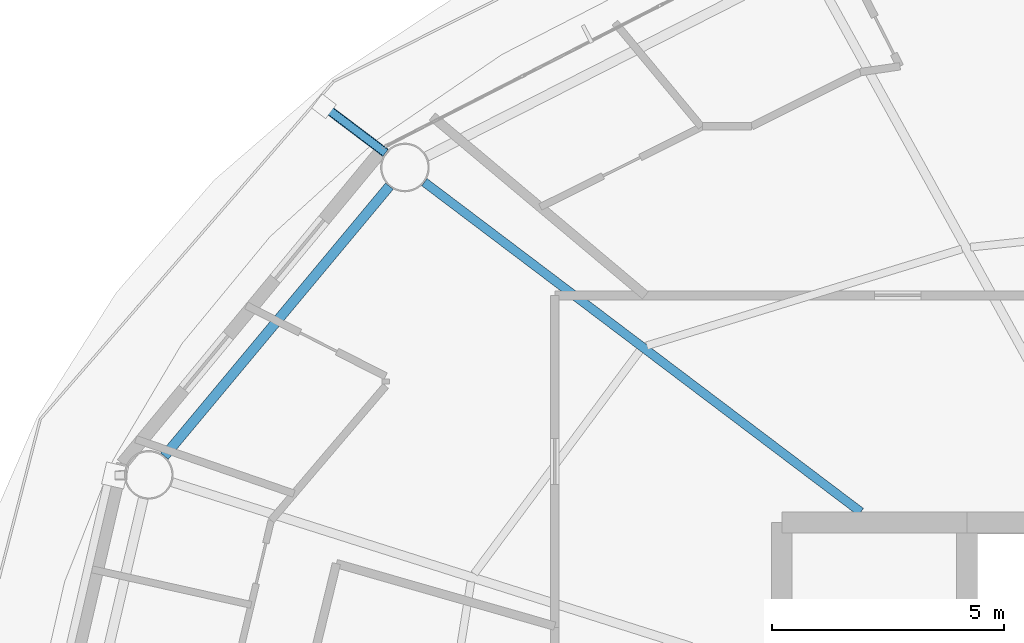
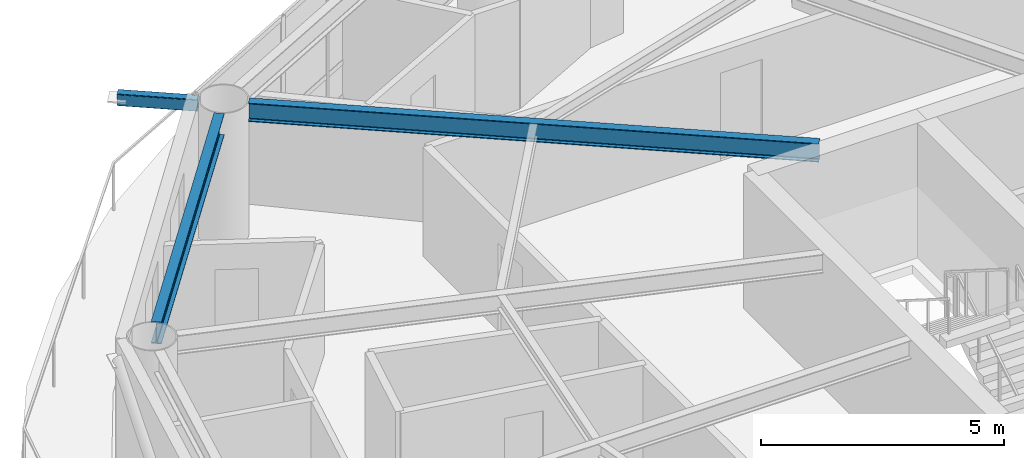
# One storey, part 10 of 28: 2 beams, 1 member.
"""IFC4 building model written with IfcOpenShell, lengths in metres."""

from ifc_helpers import new_model, si_unit, direction, frame, origin, origin_2d, place, context, subcontext, project, spatial, hollow_rectangle, i_section, extrude, material, material_profile, profile_set, type_object, element, save


model = new_model("IFC4")

# Units and contexts
model_context = context("Model", 3, precision=1e-05, world=origin(), true_north=direction((0.0, 1.0)))
body_context = subcontext(model_context, "Body", "Model", "MODEL_VIEW")
ifc_project = project(units=[si_unit("LENGTHUNIT", "METRE"), si_unit("AREAUNIT", "SQUARE_METRE"), si_unit("VOLUMEUNIT", "CUBIC_METRE"), si_unit("PLANEANGLEUNIT", "RADIAN"), si_unit("MASSUNIT", "GRAM", prefix="KILO")], contexts=[model_context])

# Site, building, storey
site_placement = place(None, origin())
site = spatial("IfcSite", under=ifc_project, at=site_placement, CompositionType="ELEMENT")
building_placement = place(site_placement, origin())
building = spatial("IfcBuilding", under=site, at=building_placement, Name="Sarneth Arch Tower", CompositionType="ELEMENT")
storey_placement = place(building_placement, frame((0.0, 0.0, 172.199951171875)))
storey = spatial("IfcBuildingStorey", under=building, at=storey_placement, Name="L43", CompositionType="ELEMENT", Elevation=172.199951171875)

# Beams
ifc_material_1 = material(Name="Steel S355", Category="steel")
ifc_material_profile_1 = material_profile(ifc_material_1, i_section(OverallWidth=0.193115234375, OverallDepth=0.466064453125, WebThickness=0.011474609375, FlangeThickness=0.01904296875, FilletRadius=0.01806640625, at=origin_2d()), Name="W460x97")
ifc_profile_set_1 = profile_set([ifc_material_profile_1], Name="Steel S355")
beam_type_1 = type_object("IfcBeamType", Name="BM-RAD-460C", PredefinedType="BEAM", material=ifc_profile_set_1)
beam_1_placement = place(storey_placement, frame((38.70458984375, 49.02490234375, 3.14697265625), z_axis=(-0.797786205076, 0.602940437349, 0.0), x_axis=(-0.602940437349, -0.797786205076, 0.0)))
element("IfcBeam", 1, at=beam_1_placement, inside=storey, type_object=beam_type_1, Name="L43 Radial floor girder 07", PredefinedType="BEAM", context=body_context, shape_type="SweptSolid", body=[
    extrude(i_section(OverallWidth=0.193115234375, OverallDepth=0.466064453125, WebThickness=0.011474609375, FlangeThickness=0.01904296875, FilletRadius=0.01806640625, at=origin_2d()), origin(), (0.0, 0.0, 1.0), 11.806884765625),
])
ifc_material_2 = material(Name="Steel S355", Category="steel")
ifc_material_profile_2 = material_profile(ifc_material_2, i_section(OverallWidth=0.214111328125, OverallDepth=0.549072265625, WebThickness=0.0146484375, FlangeThickness=0.023681640625, FilletRadius=0.01806640625, at=origin_2d()), Name="W530x138")
ifc_profile_set_2 = profile_set([ifc_material_profile_2], Name="Steel S355")
beam_type_2 = type_object("IfcBeamType", Name="BM-RAD-530A", PredefinedType="BEAM", material=ifc_profile_set_2)
beam_2_placement = place(storey_placement, frame((28.530029296875, 56.056884765625, 3.10546875), z_axis=(-0.640171737024, -0.768231831621, 0.0), x_axis=(0.768231831621, -0.640171737024, 0.0)))
element("IfcBeam", 2, at=beam_2_placement, inside=storey, type_object=beam_type_2, Name="L43 Perimeter spandrel beam 07", PredefinedType="BEAM", context=body_context, shape_type="SweptSolid", body=[
    extrude(i_section(OverallWidth=0.214111328125, OverallDepth=0.549072265625, WebThickness=0.0146484375, FlangeThickness=0.023681640625, FilletRadius=0.01806640625, at=origin_2d()), origin(), (0.0, 0.0, 1.0), 7.585693359375),
])

# Member
ifc_material_3 = material(Name="Steel S355", Category="steel")
ifc_material_profile_3 = material_profile(ifc_material_3, hollow_rectangle(XDim=0.199951171875, YDim=0.300048828125, WallThickness=0.012451171875, InnerFilletRadius=0.018798828125, OuterFilletRadius=0.03125, at=origin_2d()), Name="RHS300x200x12.5")
ifc_profile_set_3 = profile_set([ifc_material_profile_3], Name="Steel S355")
member_type = type_object("IfcMemberType", Name="MEM-CANT-STRUT", PredefinedType="STRUT", material=ifc_profile_set_3)
member_placement = place(storey_placement, frame((28.447265625, 56.77685546875, 3.219970703125), z_axis=(-0.797814063681, 0.602903574207, 0.0), x_axis=(-0.602903574207, -0.797814063681, 0.0)))
element("IfcMember", 3, at=member_placement, inside=storey, type_object=member_type, Name="L43 Balcony cantilever bracket 07", PredefinedType="STRUT", context=body_context, shape_type="SweptSolid", body=[
    extrude(hollow_rectangle(XDim=0.199951171875, YDim=0.300048828125, WallThickness=0.012451171875, InnerFilletRadius=0.018798828125, OuterFilletRadius=0.03125, at=origin_2d()), origin(), (0.0, 0.0, 1.0), 1.666015625),
])

save(model, "model.ifc")
